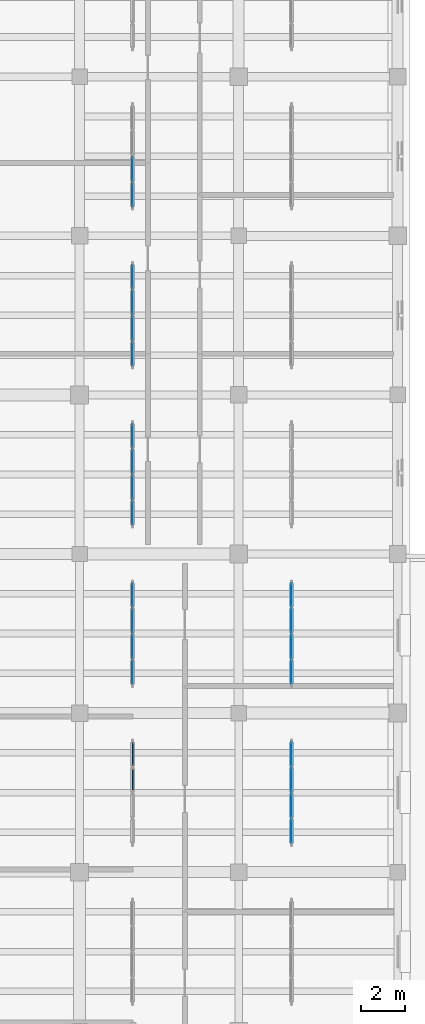
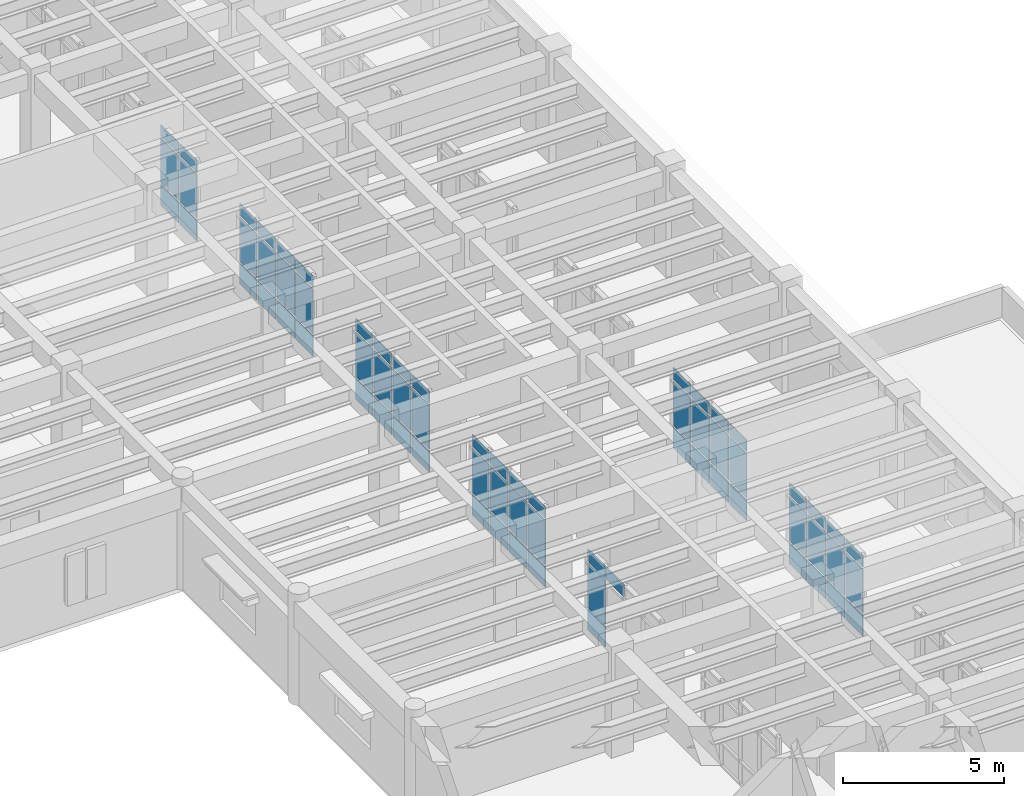
# One storey, part 45 of 76: 70 plates, 7 elements without a shape of their own.
"""IFC4 building model written with IfcOpenShell, lengths in metres."""

from ifc_helpers import new_model, si_unit, direction, frame, origin, origin_2d, place, context, subcontext, project, spatial, rectangle, extrude, material, layer, layer_set, type_object, element, aggregate, save


model = new_model("IFC4")

# Units and contexts
model_context = context("Model", 3, precision=1e-05, world=origin(), true_north=direction((0.0, 1.0)))
body_context = subcontext(model_context, "Body", "Model", "MODEL_VIEW")
ifc_project = project(units=[si_unit("LENGTHUNIT", "METRE"), si_unit("AREAUNIT", "SQUARE_METRE"), si_unit("VOLUMEUNIT", "CUBIC_METRE"), si_unit("PLANEANGLEUNIT", "RADIAN"), si_unit("MASSUNIT", "GRAM", prefix="KILO")], contexts=[model_context])

# Site, building, storey
site_placement = place(None, origin())
site = spatial("IfcSite", under=ifc_project, at=site_placement, CompositionType="ELEMENT")
building_placement = place(site_placement, origin())
building = spatial("IfcBuilding", under=site, at=building_placement, Name="Mithqara Police Headquarters", CompositionType="ELEMENT")
storey_placement = place(building_placement, frame((0.0, 0.0, 5.39990234375)))
storey = spatial("IfcBuildingStorey", under=building, at=storey_placement, Name="L01", CompositionType="ELEMENT", Elevation=5.39990234375)

# Curtain wall, plates
ifc_material_1 = material(Name="Bronze anodised aluminium 6063-T6", Category="aluminium")
curtain_wall_type = type_object("IfcCurtainWallType", Name="CURTAIN WALL 4700X3200", PredefinedType="USERDEFINED", material=ifc_material_1)
curtain_wall_1_placement = place(storey_placement, origin())
curtain_wall_1 = element("IfcCurtainWall", 1, at=curtain_wall_1_placement, inside=storey, type_object=curtain_wall_type, Name="L01 Unitised Glazing CW-15 (CW-INT-L01-X21-Y10-0)", ObjectType="UNITISED GLAZING", PredefinedType="USERDEFINED")
ifc_material_2 = material(Name="Spectrally selective double low-e glass", Category="glass")
ifc_layer_1 = layer(ifc_material_2, 0.028076171875, Name="Spectrally selective double low-e glass")
ifc_layer_set_1 = layer_set([ifc_layer_1], Name="Spectrally selective double low-e glass")
plate_type_1 = type_object("IfcPlateType", Name="CWPANEL GLASS28", PredefinedType="CURTAIN_PANEL", material=ifc_layer_set_1)
plate_1_placement = place(storey_placement, frame((154.199951171875, 73.25634765625, 0.074951171875), z_axis=(0.0, 0.0, 1.0), x_axis=(0.0, 1.0, 0.0)))
plate_1 = element("IfcPlate", 2, at=plate_1_placement, type_object=plate_type_1, Name="CW-15 panel 1.1", PredefinedType="CURTAIN_PANEL", context=body_context, shape_type="SweptSolid", body=[
    extrude(rectangle(XDim=1.0625, YDim=0.028076171875, at=origin_2d()), origin(), (0.0, 0.0, 1.0), 0.78759765625),
])
plate_2_placement = place(storey_placement, frame((154.199951171875, 73.25634765625, 0.9375), z_axis=(0.0, 0.0, 1.0), x_axis=(0.0, 1.0, 0.0)))
plate_2 = element("IfcPlate", 3, at=plate_2_placement, type_object=plate_type_1, Name="CW-15 panel 1.2", PredefinedType="CURTAIN_PANEL", context=body_context, shape_type="SweptSolid", body=[
    extrude(rectangle(XDim=1.0625, YDim=0.028076171875, at=origin_2d()), origin(), (0.0, 0.0, 1.0), 1.675048828125),
])
plate_3_placement = place(storey_placement, frame((154.199951171875, 73.25634765625, 2.6875), z_axis=(0.0, 0.0, 1.0), x_axis=(0.0, 1.0, 0.0)))
plate_3 = element("IfcPlate", 4, at=plate_3_placement, type_object=plate_type_1, Name="CW-15 panel 1.3", PredefinedType="CURTAIN_PANEL", context=body_context, shape_type="SweptSolid", body=[
    extrude(rectangle(XDim=1.0625, YDim=0.028076171875, at=origin_2d()), origin(), (0.0, 0.0, 1.0), 0.4375),
])
plate_4_placement = place(storey_placement, frame((154.199951171875, 74.41259765625, 0.074951171875), z_axis=(0.0, 0.0, 1.0), x_axis=(0.0, 1.0, 0.0)))
plate_4 = element("IfcPlate", 5, at=plate_4_placement, type_object=plate_type_1, Name="CW-15 panel 2.1", PredefinedType="CURTAIN_PANEL", context=body_context, shape_type="SweptSolid", body=[
    extrude(rectangle(XDim=1.10009765625, YDim=0.028076171875, at=origin_2d()), origin(), (0.0, 0.0, 1.0), 0.78759765625),
])
plate_5_placement = place(storey_placement, frame((154.199951171875, 74.41259765625, 0.9375), z_axis=(0.0, 0.0, 1.0), x_axis=(0.0, 1.0, 0.0)))
plate_5 = element("IfcPlate", 6, at=plate_5_placement, type_object=plate_type_1, Name="CW-15 panel 2.2", PredefinedType="CURTAIN_PANEL", context=body_context, shape_type="SweptSolid", body=[
    extrude(rectangle(XDim=1.10009765625, YDim=0.028076171875, at=origin_2d()), origin(), (0.0, 0.0, 1.0), 1.675048828125),
])
plate_6_placement = place(storey_placement, frame((154.199951171875, 74.41259765625, 2.6875), z_axis=(0.0, 0.0, 1.0), x_axis=(0.0, 1.0, 0.0)))
plate_6 = element("IfcPlate", 7, at=plate_6_placement, type_object=plate_type_1, Name="CW-15 panel 2.3", PredefinedType="CURTAIN_PANEL", context=body_context, shape_type="SweptSolid", body=[
    extrude(rectangle(XDim=1.10009765625, YDim=0.028076171875, at=origin_2d()), origin(), (0.0, 0.0, 1.0), 0.4375),
])
plate_7_placement = place(storey_placement, frame((154.199951171875, 75.58740234375, 0.074951171875), z_axis=(0.0, 0.0, 1.0), x_axis=(0.0, 1.0, 0.0)))
plate_7 = element("IfcPlate", 8, at=plate_7_placement, type_object=plate_type_1, Name="CW-15 panel 3.1", PredefinedType="CURTAIN_PANEL", context=body_context, shape_type="SweptSolid", body=[
    extrude(rectangle(XDim=1.10009765625, YDim=0.028076171875, at=origin_2d()), origin(), (0.0, 0.0, 1.0), 0.78759765625),
])
plate_8_placement = place(storey_placement, frame((154.199951171875, 75.58740234375, 0.9375), z_axis=(0.0, 0.0, 1.0), x_axis=(0.0, 1.0, 0.0)))
plate_8 = element("IfcPlate", 9, at=plate_8_placement, type_object=plate_type_1, Name="CW-15 panel 3.2", PredefinedType="CURTAIN_PANEL", context=body_context, shape_type="SweptSolid", body=[
    extrude(rectangle(XDim=1.10009765625, YDim=0.028076171875, at=origin_2d()), origin(), (0.0, 0.0, 1.0), 1.675048828125),
])
plate_9_placement = place(storey_placement, frame((154.199951171875, 75.58740234375, 2.6875), z_axis=(0.0, 0.0, 1.0), x_axis=(0.0, 1.0, 0.0)))
plate_9 = element("IfcPlate", 10, at=plate_9_placement, type_object=plate_type_1, Name="CW-15 panel 3.3", PredefinedType="CURTAIN_PANEL", context=body_context, shape_type="SweptSolid", body=[
    extrude(rectangle(XDim=1.10009765625, YDim=0.028076171875, at=origin_2d()), origin(), (0.0, 0.0, 1.0), 0.4375),
])
plate_10_placement = place(storey_placement, frame((154.199951171875, 76.74365234375, 0.074951171875), z_axis=(0.0, 0.0, 1.0), x_axis=(0.0, 1.0, 0.0)))
plate_10 = element("IfcPlate", 11, at=plate_10_placement, type_object=plate_type_1, Name="CW-15 panel 4.1", PredefinedType="CURTAIN_PANEL", context=body_context, shape_type="SweptSolid", body=[
    extrude(rectangle(XDim=1.0625, YDim=0.028076171875, at=origin_2d()), origin(), (0.0, 0.0, 1.0), 0.78759765625),
])
plate_11_placement = place(storey_placement, frame((154.199951171875, 76.74365234375, 0.9375), z_axis=(0.0, 0.0, 1.0), x_axis=(0.0, 1.0, 0.0)))
plate_11 = element("IfcPlate", 12, at=plate_11_placement, type_object=plate_type_1, Name="CW-15 panel 4.2", PredefinedType="CURTAIN_PANEL", context=body_context, shape_type="SweptSolid", body=[
    extrude(rectangle(XDim=1.0625, YDim=0.028076171875, at=origin_2d()), origin(), (0.0, 0.0, 1.0), 1.675048828125),
])
plate_12_placement = place(storey_placement, frame((154.199951171875, 76.74365234375, 2.6875), z_axis=(0.0, 0.0, 1.0), x_axis=(0.0, 1.0, 0.0)))
plate_12 = element("IfcPlate", 13, at=plate_12_placement, type_object=plate_type_1, Name="CW-15 panel 4.3", PredefinedType="CURTAIN_PANEL", context=body_context, shape_type="SweptSolid", body=[
    extrude(rectangle(XDim=1.0625, YDim=0.028076171875, at=origin_2d()), origin(), (0.0, 0.0, 1.0), 0.4375),
])
aggregate(curtain_wall_1, [plate_1, plate_2, plate_3, plate_4, plate_5, plate_6, plate_7, plate_8, plate_9, plate_10, plate_11, plate_12])

curtain_wall_2_placement = place(storey_placement, origin())
curtain_wall_2 = element("IfcCurtainWall", 14, at=curtain_wall_2_placement, inside=storey, type_object=curtain_wall_type, Name="L01 Unitised Glazing CW-15 (CW-INT-L01-X21-Y11-0)", ObjectType="UNITISED GLAZING", PredefinedType="USERDEFINED")
plate_13_placement = place(storey_placement, frame((154.199951171875, 80.456298828125, 0.074951171875), z_axis=(0.0, 0.0, 1.0), x_axis=(0.0, 1.0, 0.0)))
plate_13 = element("IfcPlate", 15, at=plate_13_placement, type_object=plate_type_1, Name="CW-15 panel 1.1", PredefinedType="CURTAIN_PANEL", context=body_context, shape_type="SweptSolid", body=[
    extrude(rectangle(XDim=1.0625, YDim=0.028076171875, at=origin_2d()), origin(), (0.0, 0.0, 1.0), 0.78759765625),
])
plate_14_placement = place(storey_placement, frame((154.199951171875, 80.456298828125, 0.9375), z_axis=(0.0, 0.0, 1.0), x_axis=(0.0, 1.0, 0.0)))
plate_14 = element("IfcPlate", 16, at=plate_14_placement, type_object=plate_type_1, Name="CW-15 panel 1.2", PredefinedType="CURTAIN_PANEL", context=body_context, shape_type="SweptSolid", body=[
    extrude(rectangle(XDim=1.0625, YDim=0.028076171875, at=origin_2d()), origin(), (0.0, 0.0, 1.0), 1.675048828125),
])
plate_15_placement = place(storey_placement, frame((154.199951171875, 80.456298828125, 2.6875), z_axis=(0.0, 0.0, 1.0), x_axis=(0.0, 1.0, 0.0)))
plate_15 = element("IfcPlate", 17, at=plate_15_placement, type_object=plate_type_1, Name="CW-15 panel 1.3", PredefinedType="CURTAIN_PANEL", context=body_context, shape_type="SweptSolid", body=[
    extrude(rectangle(XDim=1.0625, YDim=0.028076171875, at=origin_2d()), origin(), (0.0, 0.0, 1.0), 0.4375),
])
plate_16_placement = place(storey_placement, frame((154.199951171875, 81.612548828125, 0.074951171875), z_axis=(0.0, 0.0, 1.0), x_axis=(0.0, 1.0, 0.0)))
plate_16 = element("IfcPlate", 18, at=plate_16_placement, type_object=plate_type_1, Name="CW-15 panel 2.1", PredefinedType="CURTAIN_PANEL", context=body_context, shape_type="SweptSolid", body=[
    extrude(rectangle(XDim=1.10009765625, YDim=0.028076171875, at=origin_2d()), origin(), (0.0, 0.0, 1.0), 0.78759765625),
])
plate_17_placement = place(storey_placement, frame((154.199951171875, 81.612548828125, 0.9375), z_axis=(0.0, 0.0, 1.0), x_axis=(0.0, 1.0, 0.0)))
plate_17 = element("IfcPlate", 19, at=plate_17_placement, type_object=plate_type_1, Name="CW-15 panel 2.2", PredefinedType="CURTAIN_PANEL", context=body_context, shape_type="SweptSolid", body=[
    extrude(rectangle(XDim=1.10009765625, YDim=0.028076171875, at=origin_2d()), origin(), (0.0, 0.0, 1.0), 1.675048828125),
])
plate_18_placement = place(storey_placement, frame((154.199951171875, 81.612548828125, 2.6875), z_axis=(0.0, 0.0, 1.0), x_axis=(0.0, 1.0, 0.0)))
plate_18 = element("IfcPlate", 20, at=plate_18_placement, type_object=plate_type_1, Name="CW-15 panel 2.3", PredefinedType="CURTAIN_PANEL", context=body_context, shape_type="SweptSolid", body=[
    extrude(rectangle(XDim=1.10009765625, YDim=0.028076171875, at=origin_2d()), origin(), (0.0, 0.0, 1.0), 0.4375),
])
plate_19_placement = place(storey_placement, frame((154.199951171875, 82.78759765625, 0.074951171875), z_axis=(0.0, 0.0, 1.0), x_axis=(0.0, 1.0, 0.0)))
plate_19 = element("IfcPlate", 21, at=plate_19_placement, type_object=plate_type_1, Name="CW-15 panel 3.1", PredefinedType="CURTAIN_PANEL", context=body_context, shape_type="SweptSolid", body=[
    extrude(rectangle(XDim=1.10009765625, YDim=0.028076171875, at=origin_2d()), origin(), (0.0, 0.0, 1.0), 0.78759765625),
])
plate_20_placement = place(storey_placement, frame((154.199951171875, 82.78759765625, 0.9375), z_axis=(0.0, 0.0, 1.0), x_axis=(0.0, 1.0, 0.0)))
plate_20 = element("IfcPlate", 22, at=plate_20_placement, type_object=plate_type_1, Name="CW-15 panel 3.2", PredefinedType="CURTAIN_PANEL", context=body_context, shape_type="SweptSolid", body=[
    extrude(rectangle(XDim=1.10009765625, YDim=0.028076171875, at=origin_2d()), origin(), (0.0, 0.0, 1.0), 1.675048828125),
])
plate_21_placement = place(storey_placement, frame((154.199951171875, 82.78759765625, 2.6875), z_axis=(0.0, 0.0, 1.0), x_axis=(0.0, 1.0, 0.0)))
plate_21 = element("IfcPlate", 23, at=plate_21_placement, type_object=plate_type_1, Name="CW-15 panel 3.3", PredefinedType="CURTAIN_PANEL", context=body_context, shape_type="SweptSolid", body=[
    extrude(rectangle(XDim=1.10009765625, YDim=0.028076171875, at=origin_2d()), origin(), (0.0, 0.0, 1.0), 0.4375),
])
plate_22_placement = place(storey_placement, frame((154.199951171875, 83.94384765625, 0.074951171875), z_axis=(0.0, 0.0, 1.0), x_axis=(0.0, 1.0, 0.0)))
plate_22 = element("IfcPlate", 24, at=plate_22_placement, type_object=plate_type_1, Name="CW-15 panel 4.1", PredefinedType="CURTAIN_PANEL", context=body_context, shape_type="SweptSolid", body=[
    extrude(rectangle(XDim=1.0625, YDim=0.028076171875, at=origin_2d()), origin(), (0.0, 0.0, 1.0), 0.78759765625),
])
plate_23_placement = place(storey_placement, frame((154.199951171875, 83.94384765625, 0.9375), z_axis=(0.0, 0.0, 1.0), x_axis=(0.0, 1.0, 0.0)))
plate_23 = element("IfcPlate", 25, at=plate_23_placement, type_object=plate_type_1, Name="CW-15 panel 4.2", PredefinedType="CURTAIN_PANEL", context=body_context, shape_type="SweptSolid", body=[
    extrude(rectangle(XDim=1.0625, YDim=0.028076171875, at=origin_2d()), origin(), (0.0, 0.0, 1.0), 1.675048828125),
])
plate_24_placement = place(storey_placement, frame((154.199951171875, 83.94384765625, 2.6875), z_axis=(0.0, 0.0, 1.0), x_axis=(0.0, 1.0, 0.0)))
plate_24 = element("IfcPlate", 26, at=plate_24_placement, type_object=plate_type_1, Name="CW-15 panel 4.3", PredefinedType="CURTAIN_PANEL", context=body_context, shape_type="SweptSolid", body=[
    extrude(rectangle(XDim=1.0625, YDim=0.028076171875, at=origin_2d()), origin(), (0.0, 0.0, 1.0), 0.4375),
])
aggregate(curtain_wall_2, [plate_13, plate_14, plate_15, plate_16, plate_17, plate_18, plate_19, plate_20, plate_21, plate_22, plate_23, plate_24])

curtain_wall_3_placement = place(storey_placement, origin())
curtain_wall_3 = element("IfcCurtainWall", 27, at=curtain_wall_3_placement, inside=storey, type_object=curtain_wall_type, Name="L01 Unitised Glazing CW-15 (CW-INT-L01-X21-Y12-0)", ObjectType="UNITISED GLAZING", PredefinedType="USERDEFINED")
plate_25_placement = place(storey_placement, frame((154.199951171875, 87.65625, 0.074951171875), z_axis=(0.0, 0.0, 1.0), x_axis=(0.0, 1.0, 0.0)))
plate_25 = element("IfcPlate", 28, at=plate_25_placement, type_object=plate_type_1, Name="CW-15 panel 1.1", PredefinedType="CURTAIN_PANEL", context=body_context, shape_type="SweptSolid", body=[
    extrude(rectangle(XDim=1.0625, YDim=0.028076171875, at=origin_2d()), origin(), (0.0, 0.0, 1.0), 0.78759765625),
])
plate_26_placement = place(storey_placement, frame((154.199951171875, 87.65625, 0.9375), z_axis=(0.0, 0.0, 1.0), x_axis=(0.0, 1.0, 0.0)))
plate_26 = element("IfcPlate", 29, at=plate_26_placement, type_object=plate_type_1, Name="CW-15 panel 1.2", PredefinedType="CURTAIN_PANEL", context=body_context, shape_type="SweptSolid", body=[
    extrude(rectangle(XDim=1.0625, YDim=0.028076171875, at=origin_2d()), origin(), (0.0, 0.0, 1.0), 1.675048828125),
])
plate_27_placement = place(storey_placement, frame((154.199951171875, 87.65625, 2.6875), z_axis=(0.0, 0.0, 1.0), x_axis=(0.0, 1.0, 0.0)))
plate_27 = element("IfcPlate", 30, at=plate_27_placement, type_object=plate_type_1, Name="CW-15 panel 1.3", PredefinedType="CURTAIN_PANEL", context=body_context, shape_type="SweptSolid", body=[
    extrude(rectangle(XDim=1.0625, YDim=0.028076171875, at=origin_2d()), origin(), (0.0, 0.0, 1.0), 0.4375),
])
plate_28_placement = place(storey_placement, frame((154.199951171875, 88.8125, 0.074951171875), z_axis=(0.0, 0.0, 1.0), x_axis=(0.0, 1.0, 0.0)))
plate_28 = element("IfcPlate", 31, at=plate_28_placement, type_object=plate_type_1, Name="CW-15 panel 2.1", PredefinedType="CURTAIN_PANEL", context=body_context, shape_type="SweptSolid", body=[
    extrude(rectangle(XDim=1.10009765625, YDim=0.028076171875, at=origin_2d()), origin(), (0.0, 0.0, 1.0), 0.78759765625),
])
plate_29_placement = place(storey_placement, frame((154.199951171875, 88.8125, 0.9375), z_axis=(0.0, 0.0, 1.0), x_axis=(0.0, 1.0, 0.0)))
plate_29 = element("IfcPlate", 32, at=plate_29_placement, type_object=plate_type_1, Name="CW-15 panel 2.2", PredefinedType="CURTAIN_PANEL", context=body_context, shape_type="SweptSolid", body=[
    extrude(rectangle(XDim=1.10009765625, YDim=0.028076171875, at=origin_2d()), origin(), (0.0, 0.0, 1.0), 1.675048828125),
])
plate_30_placement = place(storey_placement, frame((154.199951171875, 88.8125, 2.6875), z_axis=(0.0, 0.0, 1.0), x_axis=(0.0, 1.0, 0.0)))
plate_30 = element("IfcPlate", 33, at=plate_30_placement, type_object=plate_type_1, Name="CW-15 panel 2.3", PredefinedType="CURTAIN_PANEL", context=body_context, shape_type="SweptSolid", body=[
    extrude(rectangle(XDim=1.10009765625, YDim=0.028076171875, at=origin_2d()), origin(), (0.0, 0.0, 1.0), 0.4375),
])
plate_31_placement = place(storey_placement, frame((154.199951171875, 89.987548828125, 0.074951171875), z_axis=(0.0, 0.0, 1.0), x_axis=(0.0, 1.0, 0.0)))
plate_31 = element("IfcPlate", 34, at=plate_31_placement, type_object=plate_type_1, Name="CW-15 panel 3.1", PredefinedType="CURTAIN_PANEL", context=body_context, shape_type="SweptSolid", body=[
    extrude(rectangle(XDim=1.10009765625, YDim=0.028076171875, at=origin_2d()), origin(), (0.0, 0.0, 1.0), 0.78759765625),
])
plate_32_placement = place(storey_placement, frame((154.199951171875, 89.987548828125, 0.9375), z_axis=(0.0, 0.0, 1.0), x_axis=(0.0, 1.0, 0.0)))
plate_32 = element("IfcPlate", 35, at=plate_32_placement, type_object=plate_type_1, Name="CW-15 panel 3.2", PredefinedType="CURTAIN_PANEL", context=body_context, shape_type="SweptSolid", body=[
    extrude(rectangle(XDim=1.10009765625, YDim=0.028076171875, at=origin_2d()), origin(), (0.0, 0.0, 1.0), 1.675048828125),
])
plate_33_placement = place(storey_placement, frame((154.199951171875, 89.987548828125, 2.6875), z_axis=(0.0, 0.0, 1.0), x_axis=(0.0, 1.0, 0.0)))
plate_33 = element("IfcPlate", 36, at=plate_33_placement, type_object=plate_type_1, Name="CW-15 panel 3.3", PredefinedType="CURTAIN_PANEL", context=body_context, shape_type="SweptSolid", body=[
    extrude(rectangle(XDim=1.10009765625, YDim=0.028076171875, at=origin_2d()), origin(), (0.0, 0.0, 1.0), 0.4375),
])
plate_34_placement = place(storey_placement, frame((154.199951171875, 91.143798828125, 0.074951171875), z_axis=(0.0, 0.0, 1.0), x_axis=(0.0, 1.0, 0.0)))
plate_34 = element("IfcPlate", 37, at=plate_34_placement, type_object=plate_type_1, Name="CW-15 panel 4.1", PredefinedType="CURTAIN_PANEL", context=body_context, shape_type="SweptSolid", body=[
    extrude(rectangle(XDim=1.0625, YDim=0.028076171875, at=origin_2d()), origin(), (0.0, 0.0, 1.0), 0.78759765625),
])
plate_35_placement = place(storey_placement, frame((154.199951171875, 91.143798828125, 0.9375), z_axis=(0.0, 0.0, 1.0), x_axis=(0.0, 1.0, 0.0)))
plate_35 = element("IfcPlate", 38, at=plate_35_placement, type_object=plate_type_1, Name="CW-15 panel 4.2", PredefinedType="CURTAIN_PANEL", context=body_context, shape_type="SweptSolid", body=[
    extrude(rectangle(XDim=1.0625, YDim=0.028076171875, at=origin_2d()), origin(), (0.0, 0.0, 1.0), 1.675048828125),
])
plate_36_placement = place(storey_placement, frame((154.199951171875, 91.143798828125, 2.6875), z_axis=(0.0, 0.0, 1.0), x_axis=(0.0, 1.0, 0.0)))
plate_36 = element("IfcPlate", 39, at=plate_36_placement, type_object=plate_type_1, Name="CW-15 panel 4.3", PredefinedType="CURTAIN_PANEL", context=body_context, shape_type="SweptSolid", body=[
    extrude(rectangle(XDim=1.0625, YDim=0.028076171875, at=origin_2d()), origin(), (0.0, 0.0, 1.0), 0.4375),
])
aggregate(curtain_wall_3, [plate_25, plate_26, plate_27, plate_28, plate_29, plate_30, plate_31, plate_32, plate_33, plate_34, plate_35, plate_36])

curtain_wall_4_placement = place(storey_placement, origin())
curtain_wall_4 = element("IfcCurtainWall", 40, at=curtain_wall_4_placement, inside=storey, type_object=curtain_wall_type, Name="L01 Unitised Glazing CW-15 (CW-INT-L01-X21-Y13-0)", ObjectType="UNITISED GLAZING", PredefinedType="USERDEFINED")
plate_37_placement = place(storey_placement, frame((154.199951171875, 94.856201171875, 0.074951171875), z_axis=(0.0, 0.0, 1.0), x_axis=(0.0, 1.0, 0.0)))
plate_37 = element("IfcPlate", 41, at=plate_37_placement, type_object=plate_type_1, Name="CW-15 panel 1.1", PredefinedType="CURTAIN_PANEL", context=body_context, shape_type="SweptSolid", body=[
    extrude(rectangle(XDim=1.0625, YDim=0.028076171875, at=origin_2d()), origin(), (0.0, 0.0, 1.0), 0.78759765625),
])
plate_38_placement = place(storey_placement, frame((154.199951171875, 94.856201171875, 0.9375), z_axis=(0.0, 0.0, 1.0), x_axis=(0.0, 1.0, 0.0)))
plate_38 = element("IfcPlate", 42, at=plate_38_placement, type_object=plate_type_1, Name="CW-15 panel 1.2", PredefinedType="CURTAIN_PANEL", context=body_context, shape_type="SweptSolid", body=[
    extrude(rectangle(XDim=1.0625, YDim=0.028076171875, at=origin_2d()), origin(), (0.0, 0.0, 1.0), 1.675048828125),
])
plate_39_placement = place(storey_placement, frame((154.199951171875, 94.856201171875, 2.6875), z_axis=(0.0, 0.0, 1.0), x_axis=(0.0, 1.0, 0.0)))
plate_39 = element("IfcPlate", 43, at=plate_39_placement, type_object=plate_type_1, Name="CW-15 panel 1.3", PredefinedType="CURTAIN_PANEL", context=body_context, shape_type="SweptSolid", body=[
    extrude(rectangle(XDim=1.0625, YDim=0.028076171875, at=origin_2d()), origin(), (0.0, 0.0, 1.0), 0.4375),
])
plate_40_placement = place(storey_placement, frame((154.199951171875, 96.012451171875, 0.074951171875), z_axis=(0.0, 0.0, 1.0), x_axis=(0.0, 1.0, 0.0)))
plate_40 = element("IfcPlate", 44, at=plate_40_placement, type_object=plate_type_1, Name="CW-15 panel 2.1", PredefinedType="CURTAIN_PANEL", context=body_context, shape_type="SweptSolid", body=[
    extrude(rectangle(XDim=1.10009765625, YDim=0.028076171875, at=origin_2d()), origin(), (0.0, 0.0, 1.0), 0.78759765625),
])
plate_41_placement = place(storey_placement, frame((154.199951171875, 96.012451171875, 0.9375), z_axis=(0.0, 0.0, 1.0), x_axis=(0.0, 1.0, 0.0)))
plate_41 = element("IfcPlate", 45, at=plate_41_placement, type_object=plate_type_1, Name="CW-15 panel 2.2", PredefinedType="CURTAIN_PANEL", context=body_context, shape_type="SweptSolid", body=[
    extrude(rectangle(XDim=1.10009765625, YDim=0.028076171875, at=origin_2d()), origin(), (0.0, 0.0, 1.0), 1.675048828125),
])
plate_42_placement = place(storey_placement, frame((154.199951171875, 96.012451171875, 2.6875), z_axis=(0.0, 0.0, 1.0), x_axis=(0.0, 1.0, 0.0)))
plate_42 = element("IfcPlate", 46, at=plate_42_placement, type_object=plate_type_1, Name="CW-15 panel 2.3", PredefinedType="CURTAIN_PANEL", context=body_context, shape_type="SweptSolid", body=[
    extrude(rectangle(XDim=1.10009765625, YDim=0.028076171875, at=origin_2d()), origin(), (0.0, 0.0, 1.0), 0.4375),
])
aggregate(curtain_wall_4, [plate_37, plate_38, plate_39, plate_40, plate_41, plate_42])

curtain_wall_5_placement = place(storey_placement, origin())
curtain_wall_5 = element("IfcCurtainWall", 47, at=curtain_wall_5_placement, inside=storey, type_object=curtain_wall_type, Name="L01 Unitised Glazing CW-15 (CW-INT-L01-X22-Y09-0)", ObjectType="UNITISED GLAZING", PredefinedType="USERDEFINED")
plate_43_placement = place(storey_placement, frame((161.39990234375, 66.05615234375, 0.074951171875), z_axis=(0.0, 0.0, 1.0), x_axis=(0.0, 1.0, 0.0)))
plate_43 = element("IfcPlate", 48, at=plate_43_placement, type_object=plate_type_1, Name="CW-15 panel 1.1", PredefinedType="CURTAIN_PANEL", context=body_context, shape_type="SweptSolid", body=[
    extrude(rectangle(XDim=1.0625, YDim=0.028076171875, at=origin_2d()), origin(), (0.0, 0.0, 1.0), 0.78759765625),
])
plate_44_placement = place(storey_placement, frame((161.39990234375, 66.05615234375, 0.9375), z_axis=(0.0, 0.0, 1.0), x_axis=(0.0, 1.0, 0.0)))
plate_44 = element("IfcPlate", 49, at=plate_44_placement, type_object=plate_type_1, Name="CW-15 panel 1.2", PredefinedType="CURTAIN_PANEL", context=body_context, shape_type="SweptSolid", body=[
    extrude(rectangle(XDim=1.0625, YDim=0.028076171875, at=origin_2d()), origin(), (0.0, 0.0, 1.0), 1.675048828125),
])
plate_45_placement = place(storey_placement, frame((161.39990234375, 66.05615234375, 2.6875), z_axis=(0.0, 0.0, 1.0), x_axis=(0.0, 1.0, 0.0)))
plate_45 = element("IfcPlate", 50, at=plate_45_placement, type_object=plate_type_1, Name="CW-15 panel 1.3", PredefinedType="CURTAIN_PANEL", context=body_context, shape_type="SweptSolid", body=[
    extrude(rectangle(XDim=1.0625, YDim=0.028076171875, at=origin_2d()), origin(), (0.0, 0.0, 1.0), 0.4375),
])
plate_46_placement = place(storey_placement, frame((161.39990234375, 67.21240234375, 0.074951171875), z_axis=(0.0, 0.0, 1.0), x_axis=(0.0, 1.0, 0.0)))
plate_46 = element("IfcPlate", 51, at=plate_46_placement, type_object=plate_type_1, Name="CW-15 panel 2.1", PredefinedType="CURTAIN_PANEL", context=body_context, shape_type="SweptSolid", body=[
    extrude(rectangle(XDim=1.10009765625, YDim=0.028076171875, at=origin_2d()), origin(), (0.0, 0.0, 1.0), 0.78759765625),
])
plate_47_placement = place(storey_placement, frame((161.39990234375, 67.21240234375, 0.9375), z_axis=(0.0, 0.0, 1.0), x_axis=(0.0, 1.0, 0.0)))
plate_47 = element("IfcPlate", 52, at=plate_47_placement, type_object=plate_type_1, Name="CW-15 panel 2.2", PredefinedType="CURTAIN_PANEL", context=body_context, shape_type="SweptSolid", body=[
    extrude(rectangle(XDim=1.10009765625, YDim=0.028076171875, at=origin_2d()), origin(), (0.0, 0.0, 1.0), 1.675048828125),
])
plate_48_placement = place(storey_placement, frame((161.39990234375, 67.21240234375, 2.6875), z_axis=(0.0, 0.0, 1.0), x_axis=(0.0, 1.0, 0.0)))
plate_48 = element("IfcPlate", 53, at=plate_48_placement, type_object=plate_type_1, Name="CW-15 panel 2.3", PredefinedType="CURTAIN_PANEL", context=body_context, shape_type="SweptSolid", body=[
    extrude(rectangle(XDim=1.10009765625, YDim=0.028076171875, at=origin_2d()), origin(), (0.0, 0.0, 1.0), 0.4375),
])
plate_49_placement = place(storey_placement, frame((161.39990234375, 68.387451171875, 0.074951171875), z_axis=(0.0, 0.0, 1.0), x_axis=(0.0, 1.0, 0.0)))
plate_49 = element("IfcPlate", 54, at=plate_49_placement, type_object=plate_type_1, Name="CW-15 panel 3.1", PredefinedType="CURTAIN_PANEL", context=body_context, shape_type="SweptSolid", body=[
    extrude(rectangle(XDim=1.10009765625, YDim=0.028076171875, at=origin_2d()), origin(), (0.0, 0.0, 1.0), 0.78759765625),
])
plate_50_placement = place(storey_placement, frame((161.39990234375, 68.387451171875, 0.9375), z_axis=(0.0, 0.0, 1.0), x_axis=(0.0, 1.0, 0.0)))
plate_50 = element("IfcPlate", 55, at=plate_50_placement, type_object=plate_type_1, Name="CW-15 panel 3.2", PredefinedType="CURTAIN_PANEL", context=body_context, shape_type="SweptSolid", body=[
    extrude(rectangle(XDim=1.10009765625, YDim=0.028076171875, at=origin_2d()), origin(), (0.0, 0.0, 1.0), 1.675048828125),
])
plate_51_placement = place(storey_placement, frame((161.39990234375, 68.387451171875, 2.6875), z_axis=(0.0, 0.0, 1.0), x_axis=(0.0, 1.0, 0.0)))
plate_51 = element("IfcPlate", 56, at=plate_51_placement, type_object=plate_type_1, Name="CW-15 panel 3.3", PredefinedType="CURTAIN_PANEL", context=body_context, shape_type="SweptSolid", body=[
    extrude(rectangle(XDim=1.10009765625, YDim=0.028076171875, at=origin_2d()), origin(), (0.0, 0.0, 1.0), 0.4375),
])
plate_52_placement = place(storey_placement, frame((161.39990234375, 69.543701171875, 0.074951171875), z_axis=(0.0, 0.0, 1.0), x_axis=(0.0, 1.0, 0.0)))
plate_52 = element("IfcPlate", 57, at=plate_52_placement, type_object=plate_type_1, Name="CW-15 panel 4.1", PredefinedType="CURTAIN_PANEL", context=body_context, shape_type="SweptSolid", body=[
    extrude(rectangle(XDim=1.0625, YDim=0.028076171875, at=origin_2d()), origin(), (0.0, 0.0, 1.0), 0.78759765625),
])
plate_53_placement = place(storey_placement, frame((161.39990234375, 69.543701171875, 0.9375), z_axis=(0.0, 0.0, 1.0), x_axis=(0.0, 1.0, 0.0)))
plate_53 = element("IfcPlate", 58, at=plate_53_placement, type_object=plate_type_1, Name="CW-15 panel 4.2", PredefinedType="CURTAIN_PANEL", context=body_context, shape_type="SweptSolid", body=[
    extrude(rectangle(XDim=1.0625, YDim=0.028076171875, at=origin_2d()), origin(), (0.0, 0.0, 1.0), 1.675048828125),
])
plate_54_placement = place(storey_placement, frame((161.39990234375, 69.543701171875, 2.6875), z_axis=(0.0, 0.0, 1.0), x_axis=(0.0, 1.0, 0.0)))
plate_54 = element("IfcPlate", 59, at=plate_54_placement, type_object=plate_type_1, Name="CW-15 panel 4.3", PredefinedType="CURTAIN_PANEL", context=body_context, shape_type="SweptSolid", body=[
    extrude(rectangle(XDim=1.0625, YDim=0.028076171875, at=origin_2d()), origin(), (0.0, 0.0, 1.0), 0.4375),
])
aggregate(curtain_wall_5, [plate_43, plate_44, plate_45, plate_46, plate_47, plate_48, plate_49, plate_50, plate_51, plate_52, plate_53, plate_54])

curtain_wall_6_placement = place(storey_placement, origin())
curtain_wall_6 = element("IfcCurtainWall", 60, at=curtain_wall_6_placement, inside=storey, type_object=curtain_wall_type, Name="L01 Unitised Glazing CW-15 (CW-INT-L01-X22-Y10-0)", ObjectType="UNITISED GLAZING", PredefinedType="USERDEFINED")
plate_55_placement = place(storey_placement, frame((161.39990234375, 73.25634765625, 0.074951171875), z_axis=(0.0, 0.0, 1.0), x_axis=(0.0, 1.0, 0.0)))
plate_55 = element("IfcPlate", 61, at=plate_55_placement, type_object=plate_type_1, Name="CW-15 panel 1.1", PredefinedType="CURTAIN_PANEL", context=body_context, shape_type="SweptSolid", body=[
    extrude(rectangle(XDim=1.0625, YDim=0.028076171875, at=origin_2d()), origin(), (0.0, 0.0, 1.0), 0.78759765625),
])
plate_56_placement = place(storey_placement, frame((161.39990234375, 73.25634765625, 0.9375), z_axis=(0.0, 0.0, 1.0), x_axis=(0.0, 1.0, 0.0)))
plate_56 = element("IfcPlate", 62, at=plate_56_placement, type_object=plate_type_1, Name="CW-15 panel 1.2", PredefinedType="CURTAIN_PANEL", context=body_context, shape_type="SweptSolid", body=[
    extrude(rectangle(XDim=1.0625, YDim=0.028076171875, at=origin_2d()), origin(), (0.0, 0.0, 1.0), 1.675048828125),
])
plate_57_placement = place(storey_placement, frame((161.39990234375, 73.25634765625, 2.6875), z_axis=(0.0, 0.0, 1.0), x_axis=(0.0, 1.0, 0.0)))
plate_57 = element("IfcPlate", 63, at=plate_57_placement, type_object=plate_type_1, Name="CW-15 panel 1.3", PredefinedType="CURTAIN_PANEL", context=body_context, shape_type="SweptSolid", body=[
    extrude(rectangle(XDim=1.0625, YDim=0.028076171875, at=origin_2d()), origin(), (0.0, 0.0, 1.0), 0.4375),
])
plate_58_placement = place(storey_placement, frame((161.39990234375, 74.41259765625, 0.074951171875), z_axis=(0.0, 0.0, 1.0), x_axis=(0.0, 1.0, 0.0)))
plate_58 = element("IfcPlate", 64, at=plate_58_placement, type_object=plate_type_1, Name="CW-15 panel 2.1", PredefinedType="CURTAIN_PANEL", context=body_context, shape_type="SweptSolid", body=[
    extrude(rectangle(XDim=1.10009765625, YDim=0.028076171875, at=origin_2d()), origin(), (0.0, 0.0, 1.0), 0.78759765625),
])
plate_59_placement = place(storey_placement, frame((161.39990234375, 74.41259765625, 0.9375), z_axis=(0.0, 0.0, 1.0), x_axis=(0.0, 1.0, 0.0)))
plate_59 = element("IfcPlate", 65, at=plate_59_placement, type_object=plate_type_1, Name="CW-15 panel 2.2", PredefinedType="CURTAIN_PANEL", context=body_context, shape_type="SweptSolid", body=[
    extrude(rectangle(XDim=1.10009765625, YDim=0.028076171875, at=origin_2d()), origin(), (0.0, 0.0, 1.0), 1.675048828125),
])
plate_60_placement = place(storey_placement, frame((161.39990234375, 74.41259765625, 2.6875), z_axis=(0.0, 0.0, 1.0), x_axis=(0.0, 1.0, 0.0)))
plate_60 = element("IfcPlate", 66, at=plate_60_placement, type_object=plate_type_1, Name="CW-15 panel 2.3", PredefinedType="CURTAIN_PANEL", context=body_context, shape_type="SweptSolid", body=[
    extrude(rectangle(XDim=1.10009765625, YDim=0.028076171875, at=origin_2d()), origin(), (0.0, 0.0, 1.0), 0.4375),
])
plate_61_placement = place(storey_placement, frame((161.39990234375, 75.58740234375, 0.074951171875), z_axis=(0.0, 0.0, 1.0), x_axis=(0.0, 1.0, 0.0)))
plate_61 = element("IfcPlate", 67, at=plate_61_placement, type_object=plate_type_1, Name="CW-15 panel 3.1", PredefinedType="CURTAIN_PANEL", context=body_context, shape_type="SweptSolid", body=[
    extrude(rectangle(XDim=1.10009765625, YDim=0.028076171875, at=origin_2d()), origin(), (0.0, 0.0, 1.0), 0.78759765625),
])
plate_62_placement = place(storey_placement, frame((161.39990234375, 75.58740234375, 0.9375), z_axis=(0.0, 0.0, 1.0), x_axis=(0.0, 1.0, 0.0)))
plate_62 = element("IfcPlate", 68, at=plate_62_placement, type_object=plate_type_1, Name="CW-15 panel 3.2", PredefinedType="CURTAIN_PANEL", context=body_context, shape_type="SweptSolid", body=[
    extrude(rectangle(XDim=1.10009765625, YDim=0.028076171875, at=origin_2d()), origin(), (0.0, 0.0, 1.0), 1.675048828125),
])
plate_63_placement = place(storey_placement, frame((161.39990234375, 75.58740234375, 2.6875), z_axis=(0.0, 0.0, 1.0), x_axis=(0.0, 1.0, 0.0)))
plate_63 = element("IfcPlate", 69, at=plate_63_placement, type_object=plate_type_1, Name="CW-15 panel 3.3", PredefinedType="CURTAIN_PANEL", context=body_context, shape_type="SweptSolid", body=[
    extrude(rectangle(XDim=1.10009765625, YDim=0.028076171875, at=origin_2d()), origin(), (0.0, 0.0, 1.0), 0.4375),
])
plate_64_placement = place(storey_placement, frame((161.39990234375, 76.74365234375, 0.074951171875), z_axis=(0.0, 0.0, 1.0), x_axis=(0.0, 1.0, 0.0)))
plate_64 = element("IfcPlate", 70, at=plate_64_placement, type_object=plate_type_1, Name="CW-15 panel 4.1", PredefinedType="CURTAIN_PANEL", context=body_context, shape_type="SweptSolid", body=[
    extrude(rectangle(XDim=1.0625, YDim=0.028076171875, at=origin_2d()), origin(), (0.0, 0.0, 1.0), 0.78759765625),
])
plate_65_placement = place(storey_placement, frame((161.39990234375, 76.74365234375, 0.9375), z_axis=(0.0, 0.0, 1.0), x_axis=(0.0, 1.0, 0.0)))
plate_65 = element("IfcPlate", 71, at=plate_65_placement, type_object=plate_type_1, Name="CW-15 panel 4.2", PredefinedType="CURTAIN_PANEL", context=body_context, shape_type="SweptSolid", body=[
    extrude(rectangle(XDim=1.0625, YDim=0.028076171875, at=origin_2d()), origin(), (0.0, 0.0, 1.0), 1.675048828125),
])
plate_66_placement = place(storey_placement, frame((161.39990234375, 76.74365234375, 2.6875), z_axis=(0.0, 0.0, 1.0), x_axis=(0.0, 1.0, 0.0)))
plate_66 = element("IfcPlate", 72, at=plate_66_placement, type_object=plate_type_1, Name="CW-15 panel 4.3", PredefinedType="CURTAIN_PANEL", context=body_context, shape_type="SweptSolid", body=[
    extrude(rectangle(XDim=1.0625, YDim=0.028076171875, at=origin_2d()), origin(), (0.0, 0.0, 1.0), 0.4375),
])
aggregate(curtain_wall_6, [plate_55, plate_56, plate_57, plate_58, plate_59, plate_60, plate_61, plate_62, plate_63, plate_64, plate_65, plate_66])

curtain_wall_7_placement = place(storey_placement, origin())
curtain_wall_7 = element("IfcCurtainWall", 73, at=curtain_wall_7_placement, inside=storey, type_object=curtain_wall_type, Name="L01 Unitised Glazing CW-15 (CW-INT-L01-X21-Y09-0)", ObjectType="UNITISED GLAZING", PredefinedType="USERDEFINED")
ifc_material_3 = material(Name="Insulated bronze aluminium spandrel panel", Category="aluminium")
ifc_layer_2 = layer(ifc_material_3, 0.048095703125, Name="Insulated bronze aluminium spandrel panel")
ifc_layer_set_2 = layer_set([ifc_layer_2], Name="Insulated bronze aluminium spandrel panel")
plate_type_2 = type_object("IfcPlateType", Name="CWPANEL SPANDREL48", PredefinedType="CURTAIN_PANEL", material=ifc_layer_set_2)
plate_67_placement = place(storey_placement, frame((154.199951171875, 68.387451171875, 2.6875), z_axis=(0.0, 0.0, 1.0), x_axis=(0.0, 1.0, 0.0)))
plate_67 = element("IfcPlate", 74, at=plate_67_placement, type_object=plate_type_2, Name="CW-15 panel 3.3", PredefinedType="CURTAIN_PANEL", context=body_context, shape_type="SweptSolid", body=[
    extrude(rectangle(XDim=1.10009765625, YDim=0.048095703125, at=origin_2d()), origin(), (0.0, 0.0, 1.0), 0.4375),
])
plate_68_placement = place(storey_placement, frame((154.199951171875, 69.543701171875, 0.074951171875), z_axis=(0.0, 0.0, 1.0), x_axis=(0.0, 1.0, 0.0)))
plate_68 = element("IfcPlate", 75, at=plate_68_placement, type_object=plate_type_2, Name="CW-15 panel 4.1", PredefinedType="CURTAIN_PANEL", context=body_context, shape_type="SweptSolid", body=[
    extrude(rectangle(XDim=1.0625, YDim=0.048095703125, at=origin_2d()), origin(), (0.0, 0.0, 1.0), 0.78759765625),
])
plate_69_placement = place(storey_placement, frame((154.199951171875, 69.543701171875, 0.9375), z_axis=(0.0, 0.0, 1.0), x_axis=(0.0, 1.0, 0.0)))
plate_69 = element("IfcPlate", 76, at=plate_69_placement, type_object=plate_type_2, Name="CW-15 panel 4.2", PredefinedType="CURTAIN_PANEL", context=body_context, shape_type="SweptSolid", body=[
    extrude(rectangle(XDim=1.0625, YDim=0.048095703125, at=origin_2d()), origin(), (0.0, 0.0, 1.0), 1.675048828125),
])
plate_70_placement = place(storey_placement, frame((154.199951171875, 69.543701171875, 2.6875), z_axis=(0.0, 0.0, 1.0), x_axis=(0.0, 1.0, 0.0)))
plate_70 = element("IfcPlate", 77, at=plate_70_placement, type_object=plate_type_2, Name="CW-15 panel 4.3", PredefinedType="CURTAIN_PANEL", context=body_context, shape_type="SweptSolid", body=[
    extrude(rectangle(XDim=1.0625, YDim=0.048095703125, at=origin_2d()), origin(), (0.0, 0.0, 1.0), 0.4375),
])
aggregate(curtain_wall_7, [plate_67, plate_68, plate_69, plate_70])

save(model, "model.ifc")
